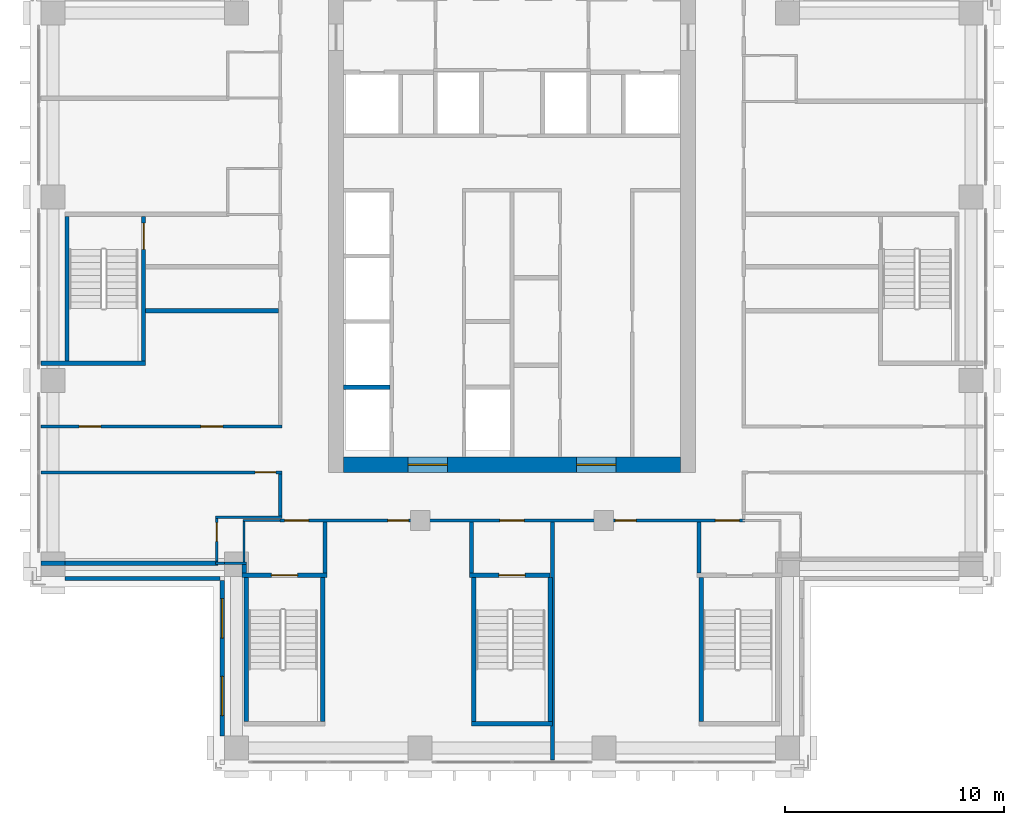
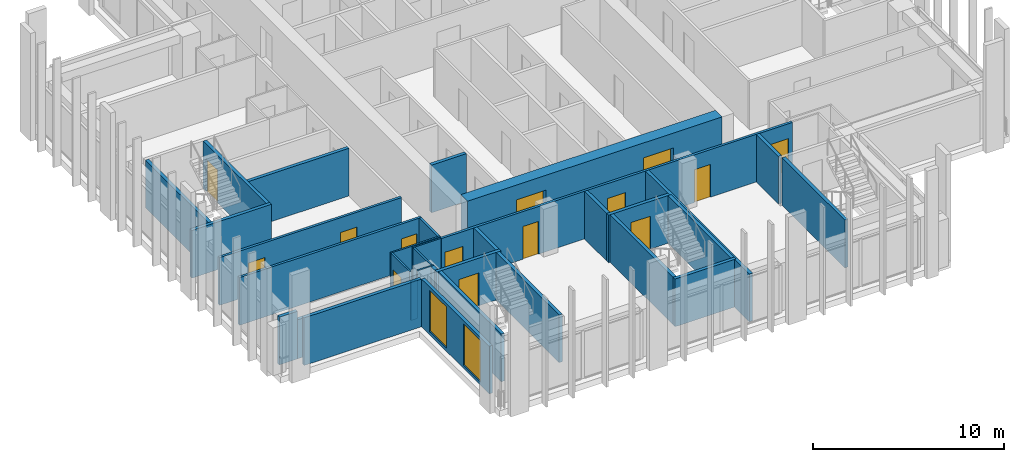
# One storey, part 9 of 17: 33 walls, 14 doors, 2 windows, 16 openings.
"""IFC4 building model written with IfcOpenShell, lengths in metres."""

from ifc_helpers import new_model, si_unit, direction, frame, frame_2d, origin, place, context, subcontext, project, spatial, rectangle, extrude, material, layer, layer_set, type_object, element, fill, save


model = new_model("IFC4")

# Units and contexts
model_context = context("Model", 3, precision=1e-05, world=origin(), true_north=direction((0.0, 1.0)))
body_context = subcontext(model_context, "Body", "Model", "MODEL_VIEW")
ifc_project = project(units=[si_unit("LENGTHUNIT", "METRE"), si_unit("AREAUNIT", "SQUARE_METRE"), si_unit("VOLUMEUNIT", "CUBIC_METRE"), si_unit("PLANEANGLEUNIT", "RADIAN"), si_unit("MASSUNIT", "GRAM", prefix="KILO")], contexts=[model_context])

# Site, building, storey
site_placement = place(None, origin())
site = spatial("IfcSite", under=ifc_project, at=site_placement, CompositionType="ELEMENT")
building_placement = place(site_placement, origin())
building = spatial("IfcBuilding", under=site, at=building_placement, Name="Vermilion Ogive Tower", CompositionType="ELEMENT")
storey_placement = place(building_placement, frame((0.0, 0.0, 157.25)))
storey = spatial("IfcBuildingStorey", under=building, at=storey_placement, Name="L40", CompositionType="ELEMENT", Elevation=157.25)

# Wall, openings, doors
ifc_material_1 = material(Name="Concrete B60", Category="concrete")
ifc_layer_1 = layer(ifc_material_1, 0.699951171875)
ifc_layer_set_1 = layer_set([ifc_layer_1], Name="Core wall 700 B60")
wall_type_1 = type_object("IfcWallType", Name="Core wall 700 B60", PredefinedType="SHEAR", material=ifc_layer_set_1)
wall_1_placement = place(storey_placement, frame((-7.699951171875, -8.050048828125, -0.39990234375), z_axis=(0.0, 0.0, 1.0), x_axis=(1.0, 0.0, 0.0)))
wall_1 = element("IfcWall", 1, at=wall_1_placement, inside=storey, type_object=wall_type_1, Name="L40-CORE-S", PredefinedType="SHEAR", context=body_context, shape_type="SweptSolid", body=[
    extrude(rectangle(XDim=15.39990234375, YDim=0.699951171875, at=frame_2d((7.699951171875, 0.0))), origin(), (0.0, 0.0, 1.0), 3.449951171875),
])
opening_1_placement = place(wall_1_placement, frame((2.949951171875, 0.0, 0.39990234375)))
opening_1 = element("IfcOpeningElement", 2, at=opening_1_placement, cuts=wall_1, Name="Opening DAH031", PredefinedType="OPENING", context=body_context, shape_type="SweptSolid", body=[
    extrude(rectangle(XDim=1.800048828125, YDim=2.10009765625, at=frame_2d((0.89990234375, 1.050048828125))), frame((0.0, 0.35986328125, 0.0), z_axis=(0.0, -1.0, 0.0), x_axis=(1.0, 0.0, 0.0)), (0.0, 0.0, 1.0), 0.719970703125),
])
opening_2_placement = place(wall_1_placement, frame((10.64990234375, 0.0, 0.39990234375)))
opening_2 = element("IfcOpeningElement", 3, at=opening_2_placement, cuts=wall_1, Name="Opening DAH032", PredefinedType="OPENING", context=body_context, shape_type="SweptSolid", body=[
    extrude(rectangle(XDim=1.800048828125, YDim=2.10009765625, at=frame_2d((0.89990234375, 1.050048828125))), frame((0.0, 0.35986328125, 0.0), z_axis=(0.0, -1.0, 0.0), x_axis=(1.0, 0.0, 0.0)), (0.0, 0.0, 1.0), 0.719970703125),
])
ifc_material_2 = material(Name="Timber door leaf", Category="wood")
door_type_1 = type_object("IfcDoorType", Name="Core entry door 1800 x 2100 FD60S", OperationType="DOUBLE_DOOR_SINGLE_SWING", PredefinedType="DOOR", material=ifc_material_2)
door_1_placement = place(opening_1_placement, origin())
door_1 = element("IfcDoor", 4, at=door_1_placement, inside=storey, type_object=door_type_1, Name="L40-CK-XD1", OperationType="SINGLE_SWING_LEFT", OverallHeight=2.10009765625, OverallWidth=1.800048828125, PredefinedType="DOOR", context=body_context, shape_type="SweptSolid", body=[
    extrude(rectangle(XDim=1.800048828125, YDim=2.10009765625, at=frame_2d((0.89990234375, 1.050048828125))), frame((0.0, 0.02490234375, 0.0), z_axis=(0.0, -1.0, 0.0), x_axis=(1.0, 0.0, 0.0)), (0.0, 0.0, 1.0), 0.050048828125),
])
fill(opening_1, door_1)
door_2_placement = place(opening_2_placement, origin())
door_2 = element("IfcDoor", 5, at=door_2_placement, inside=storey, type_object=door_type_1, Name="L40-CK-XD2", OperationType="SINGLE_SWING_LEFT", OverallHeight=2.10009765625, OverallWidth=1.800048828125, PredefinedType="DOOR", context=body_context, shape_type="SweptSolid", body=[
    extrude(rectangle(XDim=1.800048828125, YDim=2.10009765625, at=frame_2d((0.89990234375, 1.050048828125))), frame((0.0, 0.02490234375, 0.0), z_axis=(0.0, -1.0, 0.0), x_axis=(1.0, 0.0, 0.0)), (0.0, 0.0, 1.0), 0.050048828125),
])
fill(opening_2, door_2)

# Walls
ifc_material_3 = material(Name="Gypsum board partition on steel studs", Category="steel")
ifc_layer_2 = layer(ifc_material_3, 0.10009765625)
ifc_layer_set_2 = layer_set([ifc_layer_2], Name="Partition 100 bath")
wall_type_2 = type_object("IfcWallType", Name="Partition 100 bath", PredefinedType="PARTITIONING", material=ifc_layer_set_2)
wall_2_placement = place(storey_placement, frame((-13.550048828125, -12.550048828125, 0.0), z_axis=(0.0, 0.0, 1.0), x_axis=(1.0, 0.0, 0.0)))
element("IfcWall", 6, at=wall_2_placement, inside=storey, type_object=wall_type_2, Name="L40-W-W008", PredefinedType="PARTITIONING", context=body_context, shape_type="SweptSolid", body=[
    extrude(rectangle(XDim=0.400146484375, YDim=0.10009765625, at=frame_2d((0.2001953125, 0.0))), origin(), (0.0, 0.0, 1.0), 2.5),
])
wall_3_placement = place(storey_placement, frame((-12.300048828125, -10.60009765625, 0.0), z_axis=(0.0, 0.0, 1.0), x_axis=(1.0, 0.0, 0.0)))
element("IfcWall", 7, at=wall_3_placement, inside=storey, type_object=wall_type_2, Name="L40-W-W011", PredefinedType="PARTITIONING", context=body_context, shape_type="SweptSolid", body=[
    extrude(rectangle(XDim=1.699951171875, YDim=0.10009765625, at=frame_2d((0.85009765625, 0.0))), origin(), (0.0, 0.0, 1.0), 3.050048828125),
])
wall_4_placement = place(storey_placement, frame((-13.550048828125, -10.449951171875, 0.0), z_axis=(0.0, 0.0, 1.0), x_axis=(1.0, 0.0, 0.0)))
element("IfcWall", 8, at=wall_4_placement, inside=storey, type_object=wall_type_2, Name="L40-W-W014", PredefinedType="PARTITIONING", context=body_context, shape_type="SweptSolid", body=[
    extrude(rectangle(XDim=3.025146484375, YDim=0.10009765625, at=frame_2d((1.5126953125, 0.0))), origin(), (0.0, 0.0, 1.0), 3.050048828125),
])

# Wall, opening, door
wall_5_placement = place(storey_placement, frame((-13.5, -12.449951171875, 0.0), z_axis=(0.0, 0.0, 1.0), x_axis=(0.0, 1.0, 0.0)))
wall_5 = element("IfcWall", 9, at=wall_5_placement, inside=storey, type_object=wall_type_2, Name="L40-W-W042", PredefinedType="PARTITIONING", context=body_context, shape_type="SweptSolid", body=[
    extrude(rectangle(XDim=1.949951171875, YDim=0.10009765625, at=frame_2d((0.97509765625, 0.0))), origin(), (0.0, 0.0, 1.0), 3.050048828125),
])
opening_3_placement = place(wall_5_placement, frame((0.89990234375, 0.0, 0.0)))
opening_3 = element("IfcOpeningElement", 10, at=opening_3_placement, cuts=wall_5, Name="Opening D3G4002", PredefinedType="OPENING", context=body_context, shape_type="SweptSolid", body=[
    extrude(rectangle(XDim=0.85009765625, YDim=2.10009765625, at=frame_2d((0.425048828125, 1.050048828125))), frame((0.0, 0.06005859375, 0.0), z_axis=(0.0, -1.0, 0.0), x_axis=(1.0, 0.0, 0.0)), (0.0, 0.0, 1.0), 0.1201171875),
])
ifc_material_4 = material(Name="Timber door leaf", Category="wood")
door_type_2 = type_object("IfcDoorType", Name="Bath door 850 x 2100 FD30", OperationType="SINGLE_SWING_LEFT", PredefinedType="DOOR", material=ifc_material_4)
door_3_placement = place(opening_3_placement, origin())
door_3 = element("IfcDoor", 11, at=door_3_placement, inside=storey, type_object=door_type_2, Name="L40-D-D002", OperationType="SINGLE_SWING_RIGHT", OverallHeight=2.10009765625, OverallWidth=0.85009765625, PredefinedType="DOOR", context=body_context, shape_type="SweptSolid", body=[
    extrude(rectangle(XDim=0.85009765625, YDim=2.10009765625, at=frame_2d((0.425048828125, 1.050048828125))), frame((0.0, 0.02490234375, 0.0), z_axis=(0.0, -1.0, 0.0), x_axis=(1.0, 0.0, 0.0)), (0.0, 0.0, 1.0), 0.050048828125),
])
fill(opening_3, door_3)

# Walls
wall_6_placement = place(storey_placement, frame((-12.25, -12.5, 0.0), z_axis=(0.0, 0.0, 1.0), x_axis=(0.0, 1.0, 0.0)))
element("IfcWall", 12, at=wall_6_placement, inside=storey, type_object=wall_type_2, Name="L40-W-W046", PredefinedType="PARTITIONING", context=body_context, shape_type="SweptSolid", body=[
    extrude(rectangle(XDim=1.85009765625, YDim=0.10009765625, at=frame_2d((0.925048828125, 0.0))), origin(), (0.0, 0.0, 1.0), 3.050048828125),
])
wall_7_placement = place(storey_placement, frame((-13.14990234375, -12.550048828125, 0.0), z_axis=(0.0, 0.0, 1.0), x_axis=(1.0, 0.0, 0.0)))
element("IfcWall", 13, at=wall_7_placement, inside=storey, type_object=wall_type_2, Name="L40-W-W008-h1", PredefinedType="PARTITIONING", context=body_context, shape_type="SweptSolid", body=[
    extrude(rectangle(XDim=0.997802734375, YDim=0.10009765625, at=frame_2d((0.4990234375, 0.0))), origin(), (0.0, 0.0, 1.0), 3.050048828125),
])

# Wall, openings, doors
ifc_material_5 = material(Name="Gypsum board partition on steel studs", Category="steel")
ifc_layer_3 = layer(ifc_material_5, 0.14990234375)
ifc_layer_set_3 = layer_set([ifc_layer_3], Name="Partition 150 corridor")
wall_type_3 = type_object("IfcWallType", Name="Partition 150 corridor", PredefinedType="PARTITIONING", material=ifc_layer_set_3)
wall_8_placement = place(storey_placement, frame((-10.60009765625, -10.60009765625, 0.0), z_axis=(0.0, 0.0, 1.0), x_axis=(1.0, 0.0, 0.0)))
wall_8 = element("IfcWall", 14, at=wall_8_placement, inside=storey, type_object=wall_type_3, Name="L40-W-W012", PredefinedType="PARTITIONING", context=body_context, shape_type="SweptSolid", body=[
    extrude(rectangle(XDim=21.25, YDim=0.14990234375, at=frame_2d((10.625, 0.0))), origin(), (0.0, 0.0, 1.0), 3.050048828125),
])
opening_4_placement = place(wall_8_placement, frame((4.925048828125, 0.0, 0.0)))
opening_4 = element("IfcOpeningElement", 15, at=opening_4_placement, cuts=wall_8, Name="Opening D3G4009", PredefinedType="OPENING", context=body_context, shape_type="SweptSolid", body=[
    extrude(rectangle(XDim=0.949951171875, YDim=2.10009765625, at=frame_2d((0.47509765625, 1.050048828125))), frame((0.0, 0.0849609375, 0.0), z_axis=(0.0, -1.0, 0.0), x_axis=(1.0, 0.0, 0.0)), (0.0, 0.0, 1.0), 0.169921875),
])
opening_5_placement = place(wall_8_placement, frame((15.3251953125, 0.0, 0.0)))
opening_5 = element("IfcOpeningElement", 16, at=opening_5_placement, cuts=wall_8, Name="Opening D3G4010", PredefinedType="OPENING", context=body_context, shape_type="SweptSolid", body=[
    extrude(rectangle(XDim=0.949951171875, YDim=2.10009765625, at=frame_2d((0.47509765625, 1.050048828125))), frame((0.0, 0.0849609375, 0.0), z_axis=(0.0, -1.0, 0.0), x_axis=(1.0, 0.0, 0.0)), (0.0, 0.0, 1.0), 0.169921875),
])
opening_6_placement = place(wall_8_placement, frame((0.2001953125, 0.0, 0.0)))
opening_6 = element("IfcOpeningElement", 17, at=opening_6_placement, cuts=wall_8, Name="Opening D3G4018", PredefinedType="OPENING", context=body_context, shape_type="SweptSolid", body=[
    extrude(rectangle(XDim=1.10009765625, YDim=2.10009765625, at=frame_2d((0.550048828125, 1.050048828125))), frame((0.0, 0.0849609375, 0.0), z_axis=(0.0, -1.0, 0.0), x_axis=(1.0, 0.0, 0.0)), (0.0, 0.0, 1.0), 0.169921875),
])
opening_7_placement = place(wall_8_placement, frame((10.050048828125, 0.0, 0.0)))
opening_7 = element("IfcOpeningElement", 18, at=opening_7_placement, cuts=wall_8, Name="Opening D3G4020", PredefinedType="OPENING", context=body_context, shape_type="SweptSolid", body=[
    extrude(rectangle(XDim=1.10009765625, YDim=2.10009765625, at=frame_2d((0.550048828125, 1.050048828125))), frame((0.0, 0.0849609375, 0.0), z_axis=(0.0, -1.0, 0.0), x_axis=(1.0, 0.0, 0.0)), (0.0, 0.0, 1.0), 0.169921875),
])
opening_8_placement = place(wall_8_placement, frame((19.900146484375, 0.0, 0.0)))
opening_8 = element("IfcOpeningElement", 19, at=opening_8_placement, cuts=wall_8, Name="Opening D3G4022", PredefinedType="OPENING", context=body_context, shape_type="SweptSolid", body=[
    extrude(rectangle(XDim=1.10009765625, YDim=2.10009765625, at=frame_2d((0.550048828125, 1.050048828125))), frame((0.0, 0.0849609375, 0.0), z_axis=(0.0, -1.0, 0.0), x_axis=(1.0, 0.0, 0.0)), (0.0, 0.0, 1.0), 0.169921875),
])
ifc_material_6 = material(Name="Timber door leaf", Category="wood")
door_type_3 = type_object("IfcDoorType", Name="Stair door 1100 x 2100 FD60S", OperationType="SINGLE_SWING_LEFT", PredefinedType="DOOR", material=ifc_material_6)
door_4_placement = place(opening_6_placement, origin())
door_4 = element("IfcDoor", 20, at=door_4_placement, inside=storey, type_object=door_type_3, Name="L40-D-D018", OperationType="SINGLE_SWING_RIGHT", OverallHeight=2.10009765625, OverallWidth=1.10009765625, PredefinedType="DOOR", context=body_context, shape_type="SweptSolid", body=[
    extrude(rectangle(XDim=1.10009765625, YDim=2.10009765625, at=frame_2d((0.550048828125, 1.050048828125))), frame((0.0, 0.02490234375, 0.0), z_axis=(0.0, -1.0, 0.0), x_axis=(1.0, 0.0, 0.0)), (0.0, 0.0, 1.0), 0.050048828125),
])
fill(opening_6, door_4)
door_5_placement = place(opening_7_placement, origin())
door_5 = element("IfcDoor", 21, at=door_5_placement, inside=storey, type_object=door_type_3, Name="L40-D-D020", OperationType="SINGLE_SWING_LEFT", OverallHeight=2.10009765625, OverallWidth=1.10009765625, PredefinedType="DOOR", context=body_context, shape_type="SweptSolid", body=[
    extrude(rectangle(XDim=1.10009765625, YDim=2.10009765625, at=frame_2d((0.550048828125, 1.050048828125))), frame((0.0, 0.02490234375, 0.0), z_axis=(0.0, -1.0, 0.0), x_axis=(1.0, 0.0, 0.0)), (0.0, 0.0, 1.0), 0.050048828125),
])
fill(opening_7, door_5)
door_6_placement = place(opening_8_placement, origin())
door_6 = element("IfcDoor", 22, at=door_6_placement, inside=storey, type_object=door_type_3, Name="L40-D-D022", OperationType="SINGLE_SWING_LEFT", OverallHeight=2.10009765625, OverallWidth=1.10009765625, PredefinedType="DOOR", context=body_context, shape_type="SweptSolid", body=[
    extrude(rectangle(XDim=1.10009765625, YDim=2.10009765625, at=frame_2d((0.550048828125, 1.050048828125))), frame((0.0, 0.02490234375, 0.0), z_axis=(0.0, -1.0, 0.0), x_axis=(1.0, 0.0, 0.0)), (0.0, 0.0, 1.0), 0.050048828125),
])
fill(opening_8, door_6)
ifc_material_7 = material(Name="Timber door leaf", Category="wood")
door_type_4 = type_object("IfcDoorType", Name="Unit door 950 x 2100 FD30S", OperationType="SINGLE_SWING_LEFT", PredefinedType="DOOR", material=ifc_material_7)
door_7_placement = place(opening_4_placement, origin())
door_7 = element("IfcDoor", 23, at=door_7_placement, inside=storey, type_object=door_type_4, Name="L40-D-D009", OperationType="SINGLE_SWING_LEFT", OverallHeight=2.10009765625, OverallWidth=0.949951171875, PredefinedType="DOOR", context=body_context, shape_type="SweptSolid", body=[
    extrude(rectangle(XDim=0.949951171875, YDim=2.10009765625, at=frame_2d((0.47509765625, 1.050048828125))), frame((0.0, 0.02490234375, 0.0), z_axis=(0.0, -1.0, 0.0), x_axis=(1.0, 0.0, 0.0)), (0.0, 0.0, 1.0), 0.050048828125),
])
fill(opening_4, door_7)
door_8_placement = place(opening_5_placement, origin())
door_8 = element("IfcDoor", 24, at=door_8_placement, inside=storey, type_object=door_type_4, Name="L40-D-D010", OperationType="SINGLE_SWING_LEFT", OverallHeight=2.10009765625, OverallWidth=0.949951171875, PredefinedType="DOOR", context=body_context, shape_type="SweptSolid", body=[
    extrude(rectangle(XDim=0.949951171875, YDim=2.10009765625, at=frame_2d((0.47509765625, 1.050048828125))), frame((0.0, 0.02490234375, 0.0), z_axis=(0.0, -1.0, 0.0), x_axis=(1.0, 0.0, 0.0)), (0.0, 0.0, 1.0), 0.050048828125),
])
fill(opening_5, door_8)

# Wall, opening, door
wall_9_placement = place(storey_placement, frame((-21.550048828125, -8.39990234375, 0.0), z_axis=(0.0, 0.0, 1.0), x_axis=(1.0, 0.0, 0.0)))
wall_9 = element("IfcWall", 25, at=wall_9_placement, inside=storey, type_object=wall_type_3, Name="L40-W-W016", PredefinedType="PARTITIONING", context=body_context, shape_type="SweptSolid", body=[
    extrude(rectangle(XDim=11.025146484375, YDim=0.14990234375, at=frame_2d((5.5126953125, 0.0))), origin(), (0.0, 0.0, 1.0), 3.050048828125),
])
opening_9_placement = place(wall_9_placement, frame((9.800048828125, 0.0, 0.0)))
opening_9 = element("IfcOpeningElement", 26, at=opening_9_placement, cuts=wall_9, Name="Opening D3G4001", PredefinedType="OPENING", context=body_context, shape_type="SweptSolid", body=[
    extrude(rectangle(XDim=0.949951171875, YDim=2.10009765625, at=frame_2d((0.47509765625, 1.050048828125))), frame((0.0, 0.0849609375, 0.0), z_axis=(0.0, -1.0, 0.0), x_axis=(1.0, 0.0, 0.0)), (0.0, 0.0, 1.0), 0.169921875),
])
door_9_placement = place(opening_9_placement, origin())
door_9 = element("IfcDoor", 27, at=door_9_placement, inside=storey, type_object=door_type_4, Name="L40-D-D001", OperationType="SINGLE_SWING_RIGHT", OverallHeight=2.10009765625, OverallWidth=0.949951171875, PredefinedType="DOOR", context=body_context, shape_type="SweptSolid", body=[
    extrude(rectangle(XDim=0.949951171875, YDim=2.10009765625, at=frame_2d((0.47509765625, 1.050048828125))), frame((0.0, 0.02490234375, 0.0), z_axis=(0.0, -1.0, 0.0), x_axis=(1.0, 0.0, 0.0)), (0.0, 0.0, 1.0), 0.050048828125),
])
fill(opening_9, door_9)

# Wall, openings, doors
wall_10_placement = place(storey_placement, frame((-21.550048828125, -6.300048828125, 0.0), z_axis=(0.0, 0.0, 1.0), x_axis=(1.0, 0.0, 0.0)))
wall_10 = element("IfcWall", 28, at=wall_10_placement, inside=storey, type_object=wall_type_3, Name="L40-W-W018", PredefinedType="PARTITIONING", context=body_context, shape_type="SweptSolid", body=[
    extrude(rectangle(XDim=11.025146484375, YDim=0.14990234375, at=frame_2d((5.5126953125, 0.0))), origin(), (0.0, 0.0, 1.0), 3.050048828125),
])
opening_10_placement = place(wall_10_placement, frame((1.74951171875, 0.0, 0.0)))
opening_10 = element("IfcOpeningElement", 29, at=opening_10_placement, cuts=wall_10, Name="Opening D3G4028", PredefinedType="OPENING", context=body_context, shape_type="SweptSolid", body=[
    extrude(rectangle(XDim=1.0, YDim=2.10009765625, at=frame_2d((0.5, 1.050048828125))), frame((0.0, 0.0849609375, 0.0), z_axis=(0.0, -1.0, 0.0), x_axis=(1.0, 0.0, 0.0)), (0.0, 0.0, 1.0), 0.169921875),
])
opening_11_placement = place(wall_10_placement, frame((7.324951171875, 0.0, 0.0)))
opening_11 = element("IfcOpeningElement", 30, at=opening_11_placement, cuts=wall_10, Name="Opening D3G4029", PredefinedType="OPENING", context=body_context, shape_type="SweptSolid", body=[
    extrude(rectangle(XDim=1.0, YDim=2.10009765625, at=frame_2d((0.5, 1.050048828125))), frame((0.0, 0.0849609375, 0.0), z_axis=(0.0, -1.0, 0.0), x_axis=(1.0, 0.0, 0.0)), (0.0, 0.0, 1.0), 0.169921875),
])
ifc_material_8 = material(Name="Timber door leaf", Category="wood")
door_type_5 = type_object("IfcDoorType", Name="Unit door 1000 x 2100 FD30S", OperationType="SINGLE_SWING_LEFT", PredefinedType="DOOR", material=ifc_material_8)
door_10_placement = place(opening_10_placement, origin())
door_10 = element("IfcDoor", 31, at=door_10_placement, inside=storey, type_object=door_type_5, Name="L40-D-D028", OperationType="SINGLE_SWING_RIGHT", OverallHeight=2.10009765625, OverallWidth=1.0, PredefinedType="DOOR", context=body_context, shape_type="SweptSolid", body=[
    extrude(rectangle(XDim=1.0, YDim=2.10009765625, at=frame_2d((0.5, 1.050048828125))), frame((0.0, 0.02490234375, 0.0), z_axis=(0.0, -1.0, 0.0), x_axis=(1.0, 0.0, 0.0)), (0.0, 0.0, 1.0), 0.050048828125),
])
fill(opening_10, door_10)
door_11_placement = place(opening_11_placement, origin())
door_11 = element("IfcDoor", 32, at=door_11_placement, inside=storey, type_object=door_type_5, Name="L40-D-D029", OperationType="SINGLE_SWING_LEFT", OverallHeight=2.10009765625, OverallWidth=1.0, PredefinedType="DOOR", context=body_context, shape_type="SweptSolid", body=[
    extrude(rectangle(XDim=1.0, YDim=2.10009765625, at=frame_2d((0.5, 1.050048828125))), frame((0.0, 0.02490234375, 0.0), z_axis=(0.0, -1.0, 0.0), x_axis=(1.0, 0.0, 0.0)), (0.0, 0.0, 1.0), 0.050048828125),
])
fill(opening_11, door_11)

# Walls
wall_11_placement = place(storey_placement, frame((-10.60009765625, -10.39990234375, 0.0), z_axis=(0.0, 0.0, 1.0), x_axis=(0.0, 1.0, 0.0)))
element("IfcWall", 33, at=wall_11_placement, inside=storey, type_object=wall_type_3, Name="L40-W-W048", PredefinedType="PARTITIONING", context=body_context, shape_type="SweptSolid", body=[
    extrude(rectangle(XDim=1.9248046875, YDim=0.14990234375, at=frame_2d((0.96240234375, 0.0))), origin(), (0.0, 0.0, 1.0), 3.050048828125),
])
ifc_material_9 = material(Name="Gypsum board partition on steel studs", Category="steel")
ifc_layer_4 = layer(ifc_material_9, 0.199951171875)
ifc_layer_set_4 = layer_set([ifc_layer_4], Name="Partition 200 party")
wall_type_4 = type_object("IfcWallType", Name="Partition 200 party", PredefinedType="PARTITIONING", material=ifc_layer_set_4)
wall_12_placement = place(storey_placement, frame((-21.550048828125, -12.550048828125, 0.0), z_axis=(0.0, 0.0, 1.0), x_axis=(1.0, 0.0, 0.0)))
element("IfcWall", 34, at=wall_12_placement, inside=storey, type_object=wall_type_4, Name="L40-W-W007", PredefinedType="PARTITIONING", context=body_context, shape_type="SweptSolid", body=[
    extrude(rectangle(XDim=1.10009765625, YDim=0.199951171875, at=frame_2d((0.550048828125, 0.0))), origin(), (0.0, 0.0, 1.0), 3.050048828125),
])
wall_13_placement = place(storey_placement, frame((-16.75, -1.0, 0.0), z_axis=(0.0, 0.0, 1.0), x_axis=(1.0, 0.0, 0.0)))
element("IfcWall", 35, at=wall_13_placement, inside=storey, type_object=wall_type_4, Name="L40-W-W022", PredefinedType="PARTITIONING", context=body_context, shape_type="SweptSolid", body=[
    extrude(rectangle(XDim=6.074951171875, YDim=0.199951171875, at=frame_2d((3.03759765625, 0.0))), origin(), (0.0, 0.0, 1.0), 3.050048828125),
])
wall_14_placement = place(storey_placement, frame((-12.25, -12.998046875, 0.0), z_axis=(0.0, 0.0, 1.0), x_axis=(0.0, 1.0, 0.0)))
element("IfcWall", 36, at=wall_14_placement, inside=storey, type_object=wall_type_4, Name="L40-W-W045", PredefinedType="PARTITIONING", context=body_context, shape_type="SweptSolid", body=[
    extrude(rectangle(XDim=0.39599609375, YDim=0.199951171875, at=frame_2d((0.197998046875, 0.0))), origin(), (0.0, 0.0, 1.0), 3.050048828125),
])
for number, where, z_axis, x_axis, name in (
    (37, (-8.550048828125, -12.998046875, 0.0), (0.0, 0.0, 1.0), (0.0, 1.0, 0.0), "L40-W-W055"),
    (38, (-1.85009765625, -12.998046875, 0.0), (0.0, 0.0, 1.0), (0.0, 1.0, 0.0), "L40-W-W056"),
    (39, (8.550048828125, -12.998046875, 0.0), (0.0, 0.0, 1.0), (0.0, 1.0, 0.0), "L40-W-W060"),
):
    element("IfcWall", number, at=place(storey_placement, frame(where, z_axis=z_axis, x_axis=x_axis)), inside=storey, type_object=wall_type_4, Name=name, PredefinedType="PARTITIONING", context=body_context, shape_type="SweptSolid", body=[
        extrude(rectangle(XDim=2.322998046875, YDim=0.199951171875, at=frame_2d((1.16162109375, 0.0))), origin(), (0.0, 0.0, 1.0), 3.050048828125),
    ])
wall_15_placement = place(storey_placement, frame((-7.698974609375, -4.5, 0.0), z_axis=(0.0, 0.0, 1.0), x_axis=(1.0, 0.0, 0.0)))
element("IfcWall", 40, at=wall_15_placement, inside=storey, type_object=wall_type_4, Name="L40-CK-W-W001", PredefinedType="PARTITIONING", context=body_context, shape_type="SweptSolid", body=[
    extrude(rectangle(XDim=2.1240234375, YDim=0.199951171875, at=frame_2d((1.06201171875, 0.0))), origin(), (0.0, 0.0, 1.0), 3.050048828125),
])
wall_16_placement = place(storey_placement, frame((-20.449951171875, -12.550048828125, 0.0), z_axis=(0.0, 0.0, 1.0), x_axis=(1.0, 0.0, 0.0)))
element("IfcWall", 41, at=wall_16_placement, inside=storey, type_object=wall_type_4, Name="L40-W-W007-h1", PredefinedType="PARTITIONING", context=body_context, shape_type="SweptSolid", body=[
    extrude(rectangle(XDim=7.0, YDim=0.199951171875, at=frame_2d((3.5, 0.0))), origin(), (0.0, 0.0, 1.0), 2.5),
])
ifc_material_10 = material(Name="Concrete B60", Category="concrete")
ifc_layer_5 = layer(ifc_material_10, 0.199951171875)
ifc_layer_set_5 = layer_set([ifc_layer_5], Name="Stair shaft wall 200 Concrete B60")
wall_type_5 = type_object("IfcWallType", Name="Stair shaft wall 200 Concrete B60", PredefinedType="SOLIDWALL", material=ifc_layer_set_5)
wall_17_placement = place(storey_placement, frame((-1.847900390625, -19.89990234375, 0.0), z_axis=(0.0, 0.0, 1.0), x_axis=(1.0, 0.0, 0.0)))
element("IfcWall", 42, at=wall_17_placement, inside=storey, type_object=wall_type_5, Name="L40-W-W002", PredefinedType="SOLIDWALL", context=body_context, shape_type="SweptSolid", body=[
    extrude(rectangle(XDim=3.69580078125, YDim=0.199951171875, at=frame_2d((1.847900390625, 0.0))), origin(), (0.0, 0.0, 1.0), 3.050048828125),
])

# Wall, opening, door
wall_18_placement = place(storey_placement, frame((-12.347900390625, -13.10009765625, 0.0), z_axis=(0.0, 0.0, 1.0), x_axis=(1.0, 0.0, 0.0)))
wall_18 = element("IfcWall", 43, at=wall_18_placement, inside=storey, type_object=wall_type_5, Name="L40-W-W004", PredefinedType="SOLIDWALL", context=body_context, shape_type="SweptSolid", body=[
    extrude(rectangle(XDim=3.89599609375, YDim=0.199951171875, at=frame_2d((1.947998046875, 0.0))), origin(), (0.0, 0.0, 1.0), 3.050048828125),
])
opening_12_placement = place(wall_18_placement, frame((1.347900390625, 0.0, 0.0)))
opening_12 = element("IfcOpeningElement", 44, at=opening_12_placement, cuts=wall_18, Name="Opening D3G4019", PredefinedType="OPENING", context=body_context, shape_type="SweptSolid", body=[
    extrude(rectangle(XDim=1.199951171875, YDim=2.10009765625, at=frame_2d((0.60009765625, 1.050048828125))), frame((0.0, 0.10986328125, 0.0), z_axis=(0.0, -1.0, 0.0), x_axis=(1.0, 0.0, 0.0)), (0.0, 0.0, 1.0), 0.219970703125),
])
ifc_material_11 = material(Name="Timber door leaf", Category="wood")
door_type_6 = type_object("IfcDoorType", Name="Stair door 1200 x 2100 FD60S", OperationType="SINGLE_SWING_LEFT", PredefinedType="DOOR", material=ifc_material_11)
door_12_placement = place(opening_12_placement, origin())
door_12 = element("IfcDoor", 45, at=door_12_placement, inside=storey, type_object=door_type_6, Name="L40-D-D019", OperationType="SINGLE_SWING_RIGHT", OverallHeight=2.10009765625, OverallWidth=1.199951171875, PredefinedType="DOOR", context=body_context, shape_type="SweptSolid", body=[
    extrude(rectangle(XDim=1.199951171875, YDim=2.10009765625, at=frame_2d((0.60009765625, 1.050048828125))), frame((0.0, 0.02490234375, 0.0), z_axis=(0.0, -1.0, 0.0), x_axis=(1.0, 0.0, 0.0)), (0.0, 0.0, 1.0), 0.050048828125),
])
fill(opening_12, door_12)

wall_19_placement = place(storey_placement, frame((-1.947998046875, -13.10009765625, 0.0), z_axis=(0.0, 0.0, 1.0), x_axis=(1.0, 0.0, 0.0)))
wall_19 = element("IfcWall", 46, at=wall_19_placement, inside=storey, type_object=wall_type_5, Name="L40-W-W005", PredefinedType="SOLIDWALL", context=body_context, shape_type="SweptSolid", body=[
    extrude(rectangle(XDim=3.696044921875, YDim=0.199951171875, at=frame_2d((1.84814453125, 0.0))), origin(), (0.0, 0.0, 1.0), 3.050048828125),
])
opening_13_placement = place(wall_19_placement, frame((1.347900390625, 0.0, 0.0)))
opening_13 = element("IfcOpeningElement", 47, at=opening_13_placement, cuts=wall_19, Name="Opening D3G4021", PredefinedType="OPENING", context=body_context, shape_type="SweptSolid", body=[
    extrude(rectangle(XDim=1.199951171875, YDim=2.10009765625, at=frame_2d((0.60009765625, 1.050048828125))), frame((0.0, 0.10986328125, 0.0), z_axis=(0.0, -1.0, 0.0), x_axis=(1.0, 0.0, 0.0)), (0.0, 0.0, 1.0), 0.219970703125),
])
door_13_placement = place(opening_13_placement, origin())
door_13 = element("IfcDoor", 48, at=door_13_placement, inside=storey, type_object=door_type_6, Name="L40-D-D021", OperationType="SINGLE_SWING_RIGHT", OverallHeight=2.10009765625, OverallWidth=1.199951171875, PredefinedType="DOOR", context=body_context, shape_type="SweptSolid", body=[
    extrude(rectangle(XDim=1.199951171875, YDim=2.10009765625, at=frame_2d((0.60009765625, 1.050048828125))), frame((0.0, 0.02490234375, 0.0), z_axis=(0.0, -1.0, 0.0), x_axis=(1.0, 0.0, 0.0)), (0.0, 0.0, 1.0), 0.050048828125),
])
fill(opening_13, door_13)

# Walls
wall_20_placement = place(storey_placement, frame((-21.550048828125, -3.39990234375, 0.0), z_axis=(0.0, 0.0, 1.0), x_axis=(1.0, 0.0, 0.0)))
element("IfcWall", 49, at=wall_20_placement, inside=storey, type_object=wall_type_5, Name="L40-W-W020", PredefinedType="SOLIDWALL", context=body_context, shape_type="SweptSolid", body=[
    extrude(rectangle(XDim=4.799072265625, YDim=0.199951171875, at=frame_2d((2.3994140625, 0.0))), origin(), (0.0, 0.0, 1.0), 3.050048828125),
])
wall_21_placement = place(storey_placement, frame((-20.35009765625, -3.298095703125, 0.0), z_axis=(0.0, 0.0, 1.0), x_axis=(0.0, 1.0, 0.0)))
element("IfcWall", 50, at=wall_21_placement, inside=storey, type_object=wall_type_5, Name="L40-W-W040", PredefinedType="SOLIDWALL", context=body_context, shape_type="SweptSolid", body=[
    extrude(rectangle(XDim=6.59619140625, YDim=0.199951171875, at=frame_2d((3.298095703125, 0.0))), origin(), (0.0, 0.0, 1.0), 3.050048828125),
])

# Wall, opening, door
wall_22_placement = place(storey_placement, frame((-16.85009765625, -3.300048828125, 0.0), z_axis=(0.0, 0.0, 1.0), x_axis=(0.0, 1.0, 0.0)))
wall_22 = element("IfcWall", 51, at=wall_22_placement, inside=storey, type_object=wall_type_5, Name="L40-W-W041", PredefinedType="SOLIDWALL", context=body_context, shape_type="SweptSolid", body=[
    extrude(rectangle(XDim=6.60009765625, YDim=0.199951171875, at=frame_2d((3.300048828125, 0.0))), origin(), (0.0, 0.0, 1.0), 3.050048828125),
])
opening_14_placement = place(wall_22_placement, frame((5.10009765625, 0.0, 0.0)))
opening_14 = element("IfcOpeningElement", 52, at=opening_14_placement, cuts=wall_22, Name="Opening D3G4027", PredefinedType="OPENING", context=body_context, shape_type="SweptSolid", body=[
    extrude(rectangle(XDim=1.199951171875, YDim=2.10009765625, at=frame_2d((0.60009765625, 1.050048828125))), frame((0.0, 0.10986328125, 0.0), z_axis=(0.0, -1.0, 0.0), x_axis=(1.0, 0.0, 0.0)), (0.0, 0.0, 1.0), 0.219970703125),
])
door_14_placement = place(opening_14_placement, origin())
door_14 = element("IfcDoor", 53, at=door_14_placement, inside=storey, type_object=door_type_6, Name="L40-D-D027", OperationType="SINGLE_SWING_RIGHT", OverallHeight=2.10009765625, OverallWidth=1.199951171875, PredefinedType="DOOR", context=body_context, shape_type="SweptSolid", body=[
    extrude(rectangle(XDim=1.199951171875, YDim=2.10009765625, at=frame_2d((0.60009765625, 1.050048828125))), frame((0.0, 0.02490234375, 0.0), z_axis=(0.0, -1.0, 0.0), x_axis=(1.0, 0.0, 0.0)), (0.0, 0.0, 1.0), 0.050048828125),
])
fill(opening_14, door_14)

# Walls
for number, where, z_axis, x_axis, name in (
    (54, (-12.14990234375, -19.798095703125, 0.0), (0.0, 0.0, 1.0), (0.0, 1.0, 0.0), "L40-W-W047"),
    (55, (-8.64990234375, -19.798095703125, 0.0), (0.0, 0.0, 1.0), (0.0, 1.0, 0.0), "L40-W-W054"),
    (56, (-1.75, -19.798095703125, 0.0), (0.0, 0.0, 1.0), (0.0, 1.0, 0.0), "L40-W-W057"),
    (57, (1.75, -19.798095703125, 0.0), (0.0, 0.0, 1.0), (0.0, 1.0, 0.0), "L40-W-W058"),
    (58, (8.64990234375, -19.798095703125, 0.0), (0.0, 0.0, 1.0), (0.0, 1.0, 0.0), "L40-W-W061"),
):
    element("IfcWall", number, at=place(storey_placement, frame(where, z_axis=z_axis, x_axis=x_axis)), inside=storey, type_object=wall_type_5, Name=name, PredefinedType="SOLIDWALL", context=body_context, shape_type="SweptSolid", body=[
        extrude(rectangle(XDim=6.59619140625, YDim=0.199951171875, at=frame_2d((3.298095703125, 0.0))), origin(), (0.0, 0.0, 1.0), 3.050048828125),
    ])
wall_23_placement = place(storey_placement, frame((1.85009765625, -21.550048828125, 0.0), z_axis=(0.0, 0.0, 1.0), x_axis=(0.0, 1.0, 0.0)))
element("IfcWall", 59, at=wall_23_placement, inside=storey, type_object=wall_type_5, Name="L40-W-W059-A", PredefinedType="SOLIDWALL", context=body_context, shape_type="SweptSolid", body=[
    extrude(rectangle(XDim=10.875, YDim=0.199951171875, at=frame_2d((5.4375, 0.0))), origin(), (0.0, 0.0, 1.0), 3.050048828125),
])
ifc_material_12 = material(Name="Aluminium window wall framing", Category="aluminium")
ifc_layer_6 = layer(ifc_material_12, 0.199951171875)
ifc_layer_set_6 = layer_set([ifc_layer_6], Name="Window wall")
wall_type_6 = type_object("IfcWallType", Name="Window wall", PredefinedType="STANDARD", material=ifc_layer_set_6)
wall_24_placement = place(storey_placement, frame((-20.449951171875, -13.25, 0.0), z_axis=(0.0, 0.0, 1.0), x_axis=(1.0, 0.0, 0.0)))
element("IfcWall", 60, at=wall_24_placement, inside=storey, type_object=wall_type_6, Name="Window wall X71", PredefinedType="STANDARD", context=body_context, shape_type="SweptSolid", body=[
    extrude(rectangle(XDim=7.099853515625, YDim=0.199951171875, at=frame_2d((3.5498046875, 0.0))), origin(), (0.0, 0.0, 1.0), 3.050048828125),
])

# Wall, openings, windows
wall_25_placement = place(storey_placement, frame((-13.25, -13.35009765625, 0.0), z_axis=(0.0, 0.0, 1.0), x_axis=(0.0, -1.0, 0.0)))
wall_25 = element("IfcWall", 61, at=wall_25_placement, inside=storey, type_object=wall_type_6, Name="Window wall X81", PredefinedType="STANDARD", context=body_context, shape_type="SweptSolid", body=[
    extrude(rectangle(XDim=7.099853515625, YDim=0.199951171875, at=frame_2d((3.5498046875, 0.0))), origin(), (0.0, 0.0, 1.0), 3.050048828125),
])
opening_15_placement = place(wall_25_placement, frame((4.375, 0.0, 0.199951171875)))
opening_15 = element("IfcOpeningElement", 62, at=opening_15_placement, cuts=wall_25, Name="Opening W1-X895", PredefinedType="OPENING", context=body_context, shape_type="SweptSolid", body=[
    extrude(rectangle(XDim=1.800048828125, YDim=2.64990234375, at=frame_2d((0.89990234375, 1.324951171875))), frame((0.0, 0.10986328125, 0.0), z_axis=(0.0, -1.0, 0.0), x_axis=(1.0, 0.0, 0.0)), (0.0, 0.0, 1.0), 0.219970703125),
])
opening_16_placement = place(wall_25_placement, frame((0.824951171875, 0.0, 0.199951171875)))
opening_16 = element("IfcOpeningElement", 63, at=opening_16_placement, cuts=wall_25, Name="Opening W1-X896", PredefinedType="OPENING", context=body_context, shape_type="SweptSolid", body=[
    extrude(rectangle(XDim=1.800048828125, YDim=2.64990234375, at=frame_2d((0.89990234375, 1.324951171875))), frame((0.0, 0.10986328125, 0.0), z_axis=(0.0, -1.0, 0.0), x_axis=(1.0, 0.0, 0.0)), (0.0, 0.0, 1.0), 0.219970703125),
])
ifc_material_13 = material(Name="Aluminium framed double glazing", Category="aluminium")
window_type = type_object("IfcWindowType", Name="Guest window W1", PartitioningType="SINGLE_PANEL", PredefinedType="WINDOW", material=ifc_material_13)
window_1_placement = place(opening_15_placement, origin())
window_1 = element("IfcWindow", 64, at=window_1_placement, inside=storey, type_object=window_type, Name="Window X895", OverallHeight=2.64990234375, OverallWidth=1.800048828125, PartitioningType="SINGLE_PANEL", PredefinedType="WINDOW", context=body_context, shape_type="SweptSolid", body=[
    extrude(rectangle(XDim=1.800048828125, YDim=2.64990234375, at=frame_2d((0.89990234375, 1.324951171875))), frame((0.0, 0.030029296875, 0.0), z_axis=(0.0, -1.0, 0.0), x_axis=(1.0, 0.0, 0.0)), (0.0, 0.0, 1.0), 0.06005859375),
])
fill(opening_15, window_1)
window_2_placement = place(opening_16_placement, origin())
window_2 = element("IfcWindow", 65, at=window_2_placement, inside=storey, type_object=window_type, Name="Window X896", OverallHeight=2.64990234375, OverallWidth=1.800048828125, PartitioningType="SINGLE_PANEL", PredefinedType="WINDOW", context=body_context, shape_type="SweptSolid", body=[
    extrude(rectangle(XDim=1.800048828125, YDim=2.64990234375, at=frame_2d((0.89990234375, 1.324951171875))), frame((0.0, 0.030029296875, 0.0), z_axis=(0.0, -1.0, 0.0), x_axis=(1.0, 0.0, 0.0)), (0.0, 0.0, 1.0), 0.06005859375),
])
fill(opening_16, window_2)

save(model, "model.ifc")
